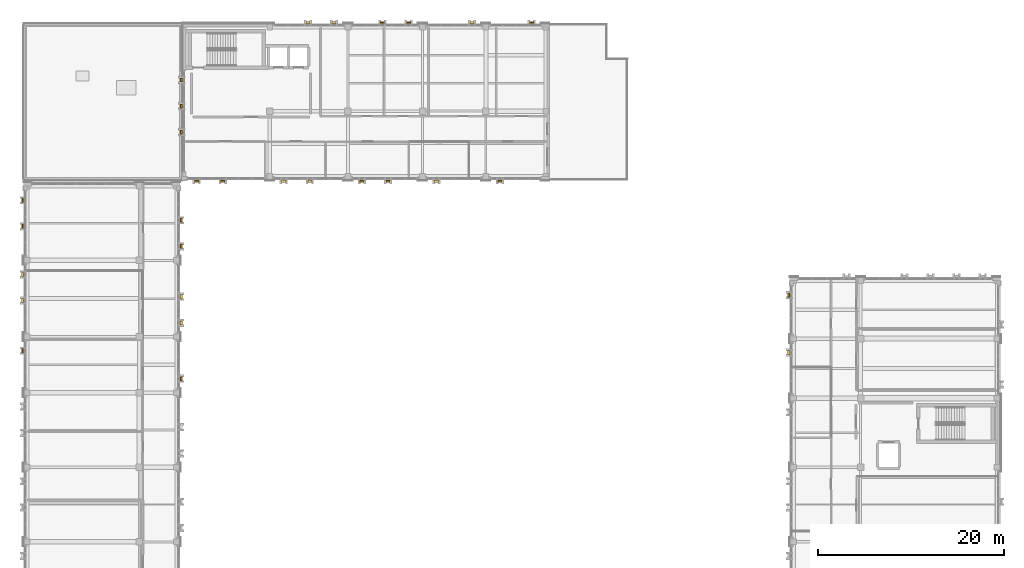
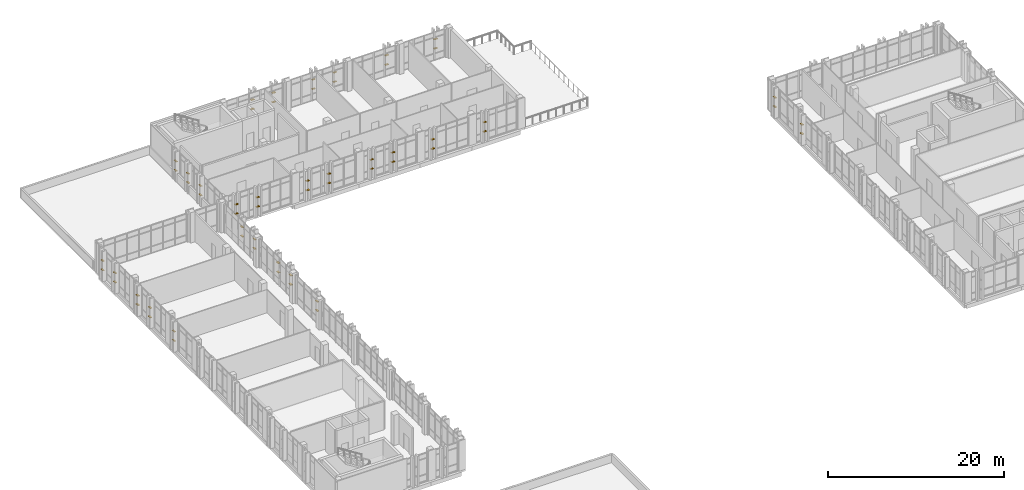
# One storey, part 89 of 90: 58 shading devices.
"""IFC4 building model written with IfcOpenShell, lengths in metres."""

from ifc_helpers import new_model, si_unit, direction, frame, origin, origin_2d, place, context, subcontext, project, spatial, rectangle, extrude, material, type_object, element, save


model = new_model("IFC4")

# Units and contexts
model_context = context("Model", 3, precision=1e-05, world=origin(), true_north=direction((0.0, 1.0)))
body_context = subcontext(model_context, "Body", "Model", "MODEL_VIEW")
ifc_project = project(units=[si_unit("LENGTHUNIT", "METRE"), si_unit("AREAUNIT", "SQUARE_METRE"), si_unit("VOLUMEUNIT", "CUBIC_METRE"), si_unit("PLANEANGLEUNIT", "RADIAN"), si_unit("MASSUNIT", "GRAM", prefix="KILO")], contexts=[model_context])

# Site, building, storey
site_placement = place(None, origin())
site = spatial("IfcSite", under=ifc_project, at=site_placement, CompositionType="ELEMENT")
building_placement = place(site_placement, origin())
building = spatial("IfcBuilding", under=site, at=building_placement, Name="Qalavern Law Courts", CompositionType="ELEMENT")
storey_placement = place(building_placement, frame((0.0, 0.0, 22.800048828125)))
storey = spatial("IfcBuildingStorey", under=building, at=storey_placement, Name="L05", CompositionType="ELEMENT", Elevation=22.800048828125)

# Shading devices
ifc_material = material(Name="Anodised aluminium", Category="aluminium")
shading_device_type_1 = type_object("IfcShadingDeviceType", Name="ENV-LOUV-1", PredefinedType="JALOUSIE", material=ifc_material)
for number, where, z_axis, x_axis, name in (
    (1, (18.91748046875, 74.89990234375, 1.345458984375), (0.0, 0.0, 1.0), (0.0, 1.0, 0.0), "Horizontal sun louvre V3-L05-0-1"),
    (2, (18.91748046875, 74.89990234375, 2.642333984375), (0.0, 0.0, 1.0), (0.0, 1.0, 0.0), "Horizontal sun louvre V3-L05-0-2"),
    (3, (18.91748046875, 89.10009765625, 1.345458984375), (0.0, 0.0, 1.0), (0.0, 1.0, 0.0), "Horizontal sun louvre V3-L05-0-1"),
    (4, (18.91748046875, 89.10009765625, 2.642333984375), (0.0, 0.0, 1.0), (0.0, 1.0, 0.0), "Horizontal sun louvre V3-L05-0-2"),
    (5, (18.91748046875, 91.89990234375, 1.345458984375), (0.0, 0.0, 1.0), (0.0, 1.0, 0.0), "Horizontal sun louvre V3-L05-1-1"),
    (6, (18.91748046875, 91.89990234375, 2.642333984375), (0.0, 0.0, 1.0), (0.0, 1.0, 0.0), "Horizontal sun louvre V3-L05-1-2"),
    (7, (1.882568359375, 94.050048828125, 1.345458984375), (0.0, 0.0, 1.0), (0.0, -1.0, 0.0), "Horizontal sun louvre V3-L05-0-1"),
    (8, (1.882568359375, 94.050048828125, 2.642333984375), (0.0, 0.0, 1.0), (0.0, -1.0, 0.0), "Horizontal sun louvre V3-L05-0-2"),
    (9, (1.882568359375, 91.25, 1.345458984375), (0.0, 0.0, 1.0), (0.0, -1.0, 0.0), "Horizontal sun louvre V3-L05-1-1"),
    (10, (1.882568359375, 91.25, 2.642333984375), (0.0, 0.0, 1.0), (0.0, -1.0, 0.0), "Horizontal sun louvre V3-L05-1-2"),
    (11, (1.882568359375, 77.89990234375, 1.345458984375), (0.0, 0.0, 1.0), (0.0, -1.0, 0.0), "Horizontal sun louvre V3-L05-0-1"),
    (12, (1.882568359375, 77.89990234375, 2.642333984375), (0.0, 0.0, 1.0), (0.0, -1.0, 0.0), "Horizontal sun louvre V3-L05-0-2"),
    (13, (84.08251953125, 83.8701171875, 1.345458984375), (0.0, 0.0, 1.0), (0.0, -1.0, 0.0), "Horizontal sun louvre V4-L05-0-1"),
    (14, (84.08251953125, 83.8701171875, 2.642333984375), (0.0, 0.0, 1.0), (0.0, -1.0, 0.0), "Horizontal sun louvre V4-L05-0-2"),
    (15, (20.570068359375, 96.08251953125, 1.345458984375), (0.0, 0.0, 1.0), (1.0, 0.0, 0.0), "Horizontal sun louvre V5-L05-0-1"),
    (16, (20.570068359375, 96.08251953125, 2.642333984375), (0.0, 0.0, 1.0), (1.0, 0.0, 0.0), "Horizontal sun louvre V5-L05-0-2"),
    (17, (23.3701171875, 96.08251953125, 1.345458984375), (0.0, 0.0, 1.0), (1.0, 0.0, 0.0), "Horizontal sun louvre V5-L05-1-1"),
    (18, (23.3701171875, 96.08251953125, 2.642333984375), (0.0, 0.0, 1.0), (1.0, 0.0, 0.0), "Horizontal sun louvre V5-L05-1-2"),
    (19, (38.300048828125, 96.08251953125, 1.345458984375), (0.0, 0.0, 1.0), (1.0, 0.0, 0.0), "Horizontal sun louvre V5-L05-0-1"),
    (20, (38.300048828125, 96.08251953125, 2.642333984375), (0.0, 0.0, 1.0), (1.0, 0.0, 0.0), "Horizontal sun louvre V5-L05-0-2"),
    (21, (41.10009765625, 96.08251953125, 1.345458984375), (0.0, 0.0, 1.0), (1.0, 0.0, 0.0), "Horizontal sun louvre V5-L05-1-1"),
    (22, (41.10009765625, 96.08251953125, 2.642333984375), (0.0, 0.0, 1.0), (1.0, 0.0, 0.0), "Horizontal sun louvre V5-L05-1-2"),
    (23, (53.10009765625, 96.08251953125, 1.345458984375), (0.0, 0.0, 1.0), (1.0, 0.0, 0.0), "Horizontal sun louvre V5-L05-0-1"),
    (24, (53.10009765625, 96.08251953125, 2.642333984375), (0.0, 0.0, 1.0), (1.0, 0.0, 0.0), "Horizontal sun louvre V5-L05-0-2"),
    (25, (56.5, 113.117431640625, 1.345458984375), (0.0, 0.0, 1.0), (-1.0, 0.0, 0.0), "Horizontal sun louvre V5-L05-0-1"),
    (26, (56.5, 113.117431640625, 2.642333984375), (0.0, 0.0, 1.0), (-1.0, 0.0, 0.0), "Horizontal sun louvre V5-L05-0-2"),
    (27, (43.300048828125, 113.117431640625, 1.345458984375), (0.0, 0.0, 1.0), (-1.0, 0.0, 0.0), "Horizontal sun louvre V5-L05-0-1"),
    (28, (43.300048828125, 113.117431640625, 2.642333984375), (0.0, 0.0, 1.0), (-1.0, 0.0, 0.0), "Horizontal sun louvre V5-L05-0-2"),
    (29, (40.5, 113.117431640625, 1.345458984375), (0.0, 0.0, 1.0), (-1.0, 0.0, 0.0), "Horizontal sun louvre V5-L05-1-1"),
    (30, (40.5, 113.117431640625, 2.642333984375), (0.0, 0.0, 1.0), (-1.0, 0.0, 0.0), "Horizontal sun louvre V5-L05-1-2"),
    (31, (18.902587890625, 106.949951171875, 1.345458984375), (0.0, 0.0, 1.0), (0.0, -1.0, 0.0), "Horizontal sun louvre V5-L05-0-1"),
    (32, (18.902587890625, 106.949951171875, 2.642333984375), (0.0, 0.0, 1.0), (0.0, -1.0, 0.0), "Horizontal sun louvre V5-L05-0-2"),
    (33, (18.902587890625, 104.14990234375, 1.345458984375), (0.0, 0.0, 1.0), (0.0, -1.0, 0.0), "Horizontal sun louvre V5-L05-1-1"),
    (34, (18.902587890625, 104.14990234375, 2.642333984375), (0.0, 0.0, 1.0), (0.0, -1.0, 0.0), "Horizontal sun louvre V5-L05-1-2"),
    (35, (18.902587890625, 101.35009765625, 1.345458984375), (0.0, 0.0, 1.0), (0.0, -1.0, 0.0), "Horizontal sun louvre V5-L05-2-1"),
    (36, (18.902587890625, 101.35009765625, 2.642333984375), (0.0, 0.0, 1.0), (0.0, -1.0, 0.0), "Horizontal sun louvre V5-L05-2-2"),
):
    element("IfcShadingDevice", number, at=place(storey_placement, frame(where, z_axis=z_axis, x_axis=x_axis)), inside=storey, type_object=shading_device_type_1, Name=name, PredefinedType="JALOUSIE", context=body_context, shape_type="SweptSolid", body=[
        extrude(rectangle(XDim=0.419921875, YDim=0.2099609375, at=origin_2d()), origin(), (0.0, 0.0, 1.0), 0.06005859375),
    ])
shading_device_type_2 = type_object("IfcShadingDeviceType", Name="ENV-LOUV-2", PredefinedType="JALOUSIE", material=ifc_material)
for number, where, z_axis, x_axis, name in (
    (37, (18.91748046875, 80.89990234375, 1.345458984375), (0.0, 0.0, 1.0), (0.0, 1.0, 0.0), "Horizontal sun louvre V3-L05-0-1"),
    (38, (18.91748046875, 80.89990234375, 2.642333984375), (0.0, 0.0, 1.0), (0.0, 1.0, 0.0), "Horizontal sun louvre V3-L05-0-2"),
    (39, (18.91748046875, 83.699951171875, 1.345458984375), (0.0, 0.0, 1.0), (0.0, 1.0, 0.0), "Horizontal sun louvre V3-L05-1-1"),
    (40, (18.91748046875, 83.699951171875, 2.642333984375), (0.0, 0.0, 1.0), (0.0, 1.0, 0.0), "Horizontal sun louvre V3-L05-1-2"),
    (41, (1.882568359375, 86.10009765625, 1.345458984375), (0.0, 0.0, 1.0), (0.0, -1.0, 0.0), "Horizontal sun louvre V3-L05-0-1"),
    (42, (1.882568359375, 86.10009765625, 2.642333984375), (0.0, 0.0, 1.0), (0.0, -1.0, 0.0), "Horizontal sun louvre V3-L05-0-2"),
    (43, (1.882568359375, 83.300048828125, 1.345458984375), (0.0, 0.0, 1.0), (0.0, -1.0, 0.0), "Horizontal sun louvre V3-L05-1-1"),
    (44, (1.882568359375, 83.300048828125, 2.642333984375), (0.0, 0.0, 1.0), (0.0, -1.0, 0.0), "Horizontal sun louvre V3-L05-1-2"),
    (45, (84.08251953125, 77.699951171875, 1.345458984375), (0.0, 0.0, 1.0), (0.0, -1.0, 0.0), "Horizontal sun louvre V4-L05-0-1"),
    (46, (84.08251953125, 77.699951171875, 2.642333984375), (0.0, 0.0, 1.0), (0.0, -1.0, 0.0), "Horizontal sun louvre V4-L05-0-2"),
    (47, (29.89990234375, 96.08251953125, 1.345458984375), (0.0, 0.0, 1.0), (1.0, 0.0, 0.0), "Horizontal sun louvre V5-L05-0-1"),
    (48, (29.89990234375, 96.08251953125, 2.642333984375), (0.0, 0.0, 1.0), (1.0, 0.0, 0.0), "Horizontal sun louvre V5-L05-0-2"),
    (49, (32.699951171875, 96.08251953125, 1.345458984375), (0.0, 0.0, 1.0), (1.0, 0.0, 0.0), "Horizontal sun louvre V5-L05-1-1"),
    (50, (32.699951171875, 96.08251953125, 2.642333984375), (0.0, 0.0, 1.0), (1.0, 0.0, 0.0), "Horizontal sun louvre V5-L05-1-2"),
    (51, (46.300048828125, 96.08251953125, 1.345458984375), (0.0, 0.0, 1.0), (1.0, 0.0, 0.0), "Horizontal sun louvre V5-L05-0-1"),
    (52, (46.300048828125, 96.08251953125, 2.642333984375), (0.0, 0.0, 1.0), (1.0, 0.0, 0.0), "Horizontal sun louvre V5-L05-0-2"),
    (53, (50.10009765625, 113.117431640625, 1.345458984375), (0.0, 0.0, 1.0), (-1.0, 0.0, 0.0), "Horizontal sun louvre V5-L05-0-1"),
    (54, (50.10009765625, 113.117431640625, 2.642333984375), (0.0, 0.0, 1.0), (-1.0, 0.0, 0.0), "Horizontal sun louvre V5-L05-0-2"),
    (55, (35.300048828125, 113.117431640625, 1.345458984375), (0.0, 0.0, 1.0), (-1.0, 0.0, 0.0), "Horizontal sun louvre V5-L05-0-1"),
    (56, (35.300048828125, 113.117431640625, 2.642333984375), (0.0, 0.0, 1.0), (-1.0, 0.0, 0.0), "Horizontal sun louvre V5-L05-0-2"),
    (57, (32.5, 113.117431640625, 1.345458984375), (0.0, 0.0, 1.0), (-1.0, 0.0, 0.0), "Horizontal sun louvre V5-L05-1-1"),
    (58, (32.5, 113.117431640625, 2.642333984375), (0.0, 0.0, 1.0), (-1.0, 0.0, 0.0), "Horizontal sun louvre V5-L05-1-2"),
):
    element("IfcShadingDevice", number, at=place(storey_placement, frame(where, z_axis=z_axis, x_axis=x_axis)), inside=storey, type_object=shading_device_type_2, Name=name, PredefinedType="JALOUSIE", context=body_context, shape_type="SweptSolid", body=[
        extrude(rectangle(XDim=0.419921875, YDim=0.25, at=origin_2d()), origin(), (0.0, 0.0, 1.0), 0.06005859375),
    ])

save(model, "model.ifc")
